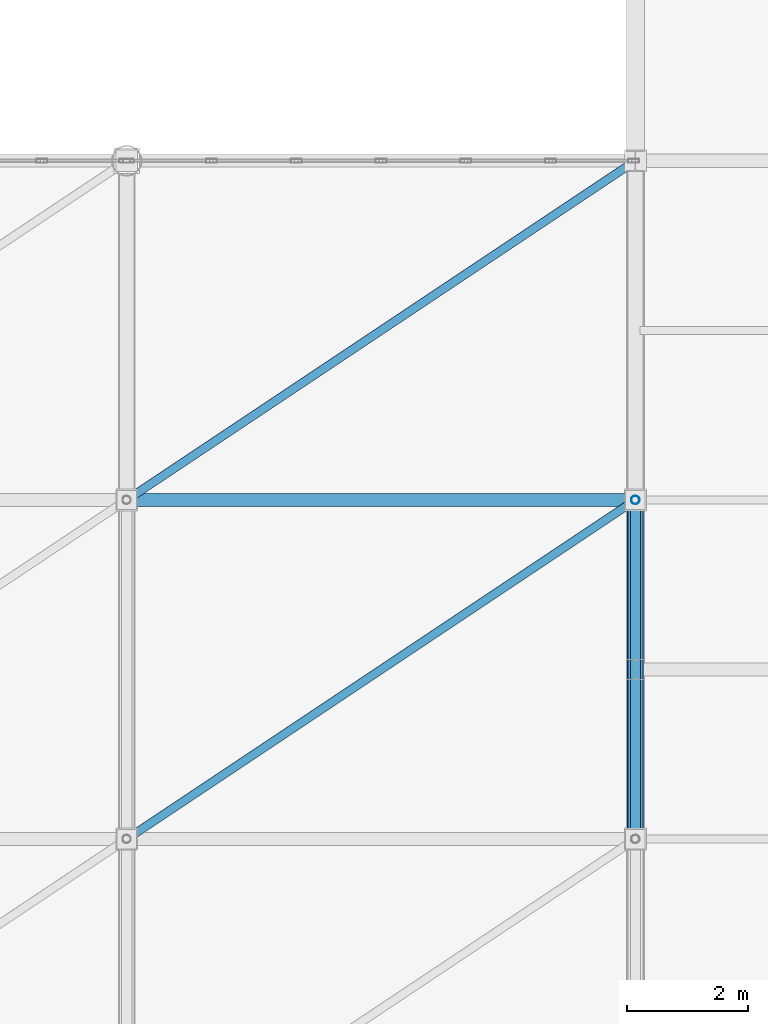
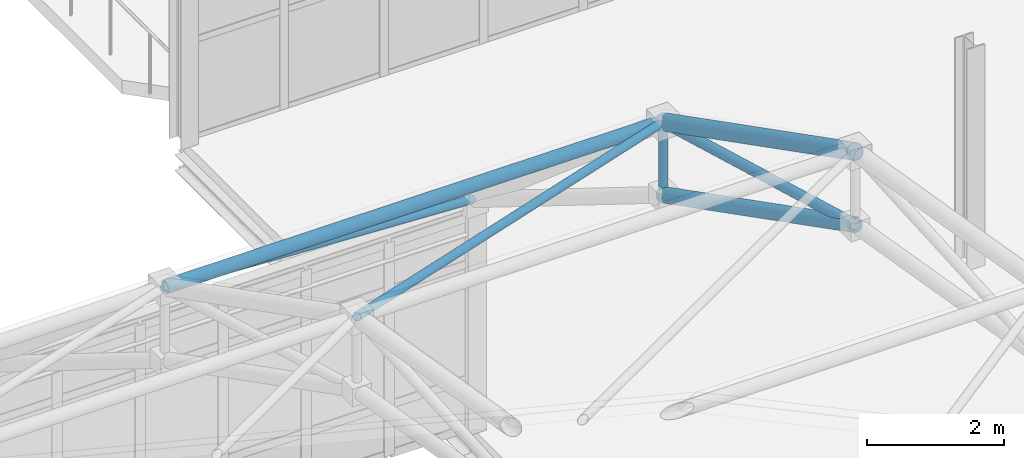
# One storey, part 92 of 184: 7 members.
"""IFC4 building model written with IfcOpenShell, lengths in metres."""

from ifc_helpers import new_model, si_unit, direction, frame, origin, origin_2d, place, context, subcontext, project, spatial, hollow_circle, extrude, material, material_profile, profile_set, type_object, element, save


model = new_model("IFC4")

# Units and contexts
model_context = context("Model", 3, precision=1e-05, world=origin(), true_north=direction((0.0, 1.0)))
body_context = subcontext(model_context, "Body", "Model", "MODEL_VIEW")
ifc_project = project(units=[si_unit("LENGTHUNIT", "METRE"), si_unit("AREAUNIT", "SQUARE_METRE"), si_unit("VOLUMEUNIT", "CUBIC_METRE"), si_unit("PLANEANGLEUNIT", "RADIAN"), si_unit("MASSUNIT", "GRAM", prefix="KILO")], contexts=[model_context])

# Site, building, storey
site_placement = place(None, origin())
site = spatial("IfcSite", under=ifc_project, at=site_placement, CompositionType="ELEMENT")
building_placement = place(site_placement, origin())
building = spatial("IfcBuilding", under=site, at=building_placement, Name="Qalvenar Corner Mobility Hub", CompositionType="ELEMENT")
storey_placement = place(building_placement, frame((0.0, 0.0, 9.0)))
storey = spatial("IfcBuildingStorey", under=building, at=storey_placement, Name="L02", CompositionType="ELEMENT", Elevation=9.0)

# Members
ifc_material = material(Name="Steel S355", Category="steel")
ifc_material_profile_1 = material_profile(ifc_material, hollow_circle(Radius=0.109619140625, WallThickness=0.008056640625, at=origin_2d()), Name="CHS219.1x8")
ifc_profile_set_1 = profile_set([ifc_material_profile_1], Name="Steel S355")
member_type_1 = type_object("IfcMemberType", Name="SF-CHD219", PredefinedType="CHORD", material=ifc_profile_set_1)
member_1_placement = place(storey_placement, frame((100.800048828125, 28.0, 8.837890625), z_axis=(1.0, 0.0, 0.0), x_axis=(0.0, 1.0, 0.0)))
element("IfcMember", 1, at=member_1_placement, inside=storey, type_object=member_type_1, Name="Space Frame Longitudinal Chord SFL-0239", PredefinedType="CHORD", context=body_context, shape_type="SweptSolid", body=[
    extrude(hollow_circle(Radius=0.109619140625, WallThickness=0.008056640625, at=origin_2d()), origin(), (0.0, 0.0, 1.0), 8.39990234375),
])
ifc_material_profile_2 = material_profile(ifc_material, hollow_circle(Radius=0.122314453125, WallThickness=0.0087890625, at=origin_2d()), Name="CHS244.5x8.8")
ifc_profile_set_2 = profile_set([ifc_material_profile_2], Name="Steel S355")
member_type_2 = type_object("IfcMemberType", Name="SF-CHD244", PredefinedType="CHORD", material=ifc_profile_set_2)
member_2_placement = place(storey_placement, frame((109.199951171875, 22.39990234375, 10.404296875), z_axis=(0.0, 0.890165077293, -0.455638162547), x_axis=(-1.0, 0.0, 0.0)))
element("IfcMember", 2, at=member_2_placement, inside=storey, type_object=member_type_2, Name="Space Frame Bottom Chord SFBC-0160", PredefinedType="CHORD", context=body_context, shape_type="SweptSolid", body=[
    extrude(hollow_circle(Radius=0.122314453125, WallThickness=0.0087890625, at=origin_2d()), origin(), (0.0, 0.0, 1.0), 6.291015625),
])
ifc_material_profile_3 = material_profile(ifc_material, hollow_circle(Radius=0.136474609375, WallThickness=0.010009765625, at=origin_2d()), Name="CHS273x10")
ifc_profile_set_3 = profile_set([ifc_material_profile_3], Name="Steel S355")
member_type_3 = type_object("IfcMemberType", Name="SF-CHD273", PredefinedType="CHORD", material=ifc_profile_set_3)
member_3_placement = place(storey_placement, frame((109.199951171875, 22.39990234375, 11.704345703125), z_axis=(0.0, 0.890165077293, -0.455638162547), x_axis=(-1.0, 0.0, 0.0)))
element("IfcMember", 3, at=member_3_placement, inside=storey, type_object=member_type_3, Name="Space Frame Top Chord SFTC-0159", PredefinedType="CHORD", context=body_context, shape_type="SweptSolid", body=[
    extrude(hollow_circle(Radius=0.136474609375, WallThickness=0.010009765625, at=origin_2d()), origin(), (0.0, 0.0, 1.0), 6.291015625),
])
ifc_material_profile_4 = material_profile(ifc_material, hollow_circle(Radius=0.06982421875, WallThickness=0.0048828125, at=origin_2d()), Name="CHS139.7x5")
ifc_profile_set_4 = profile_set([ifc_material_profile_4], Name="Steel S355")
member_type_4 = type_object("IfcMemberType", Name="SF-STR139", PredefinedType="STRUT", material=ifc_profile_set_4)
member_4_placement = place(storey_placement, frame((109.199951171875, 28.0, 7.537841796875), z_axis=(0.0, 0.0, 1.0), x_axis=(1.0, 0.0, 0.0)))
element("IfcMember", 4, at=member_4_placement, inside=storey, type_object=member_type_4, Name="Space Frame King Strut SFV-0168", PredefinedType="STRUT", context=body_context, shape_type="SweptSolid", body=[
    extrude(hollow_circle(Radius=0.06982421875, WallThickness=0.0048828125, at=origin_2d()), origin(), (0.0, 0.0, 1.0), 1.300048828125),
])
member_5_placement = place(storey_placement, frame((100.800048828125, 22.39990234375, 11.704345703125), z_axis=(0.800404556172, 0.533618546459, -0.273136949777), x_axis=(-0.554711357594, 0.832042853317, 0.0)))
element("IfcMember", 5, at=member_5_placement, inside=storey, type_object=member_type_4, Name="Space Frame Plan Strut SFP-0244", PredefinedType="STRUT", context=body_context, shape_type="SweptSolid", body=[
    extrude(hollow_circle(Radius=0.06982421875, WallThickness=0.0048828125, at=origin_2d()), origin(), (0.0, 0.0, 1.0), 10.49462890625),
])
member_6_placement = place(storey_placement, frame((100.800048828125, 28.0, 8.837890625), z_axis=(0.752071189663, 0.50139536559, -0.427775189842), x_axis=(-0.554711357594, 0.832042853317, 0.0)))
element("IfcMember", 6, at=member_6_placement, inside=storey, type_object=member_type_4, Name="Space Frame Plan Strut SFP-0245", PredefinedType="STRUT", context=body_context, shape_type="SweptSolid", body=[
    extrude(hollow_circle(Radius=0.06982421875, WallThickness=0.0048828125, at=origin_2d()), origin(), (0.0, 0.0, 1.0), 11.1689453125),
])
ifc_material_profile_5 = material_profile(ifc_material, hollow_circle(Radius=0.084228515625, WallThickness=0.00634765625, at=origin_2d()), Name="CHS168.3x6.3")
ifc_profile_set_5 = profile_set([ifc_material_profile_5], Name="Steel S355")
member_type_5 = type_object("IfcMemberType", Name="SF-STR168", PredefinedType="STRUT", material=ifc_profile_set_5)
member_7_placement = place(storey_placement, frame((109.199951171875, 22.39990234375, 10.404296875), z_axis=(0.0, 0.963036367481, -0.269371407), x_axis=(-1.0, 0.0, 0.0)))
element("IfcMember", 7, at=member_7_placement, inside=storey, type_object=member_type_5, Name="Space Frame Web Strut SFD-0161", PredefinedType="STRUT", context=body_context, shape_type="SweptSolid", body=[
    extrude(hollow_circle(Radius=0.084228515625, WallThickness=0.00634765625, at=origin_2d()), origin(), (0.0, 0.0, 1.0), 5.81494140625),
])

save(model, "model.ifc")
